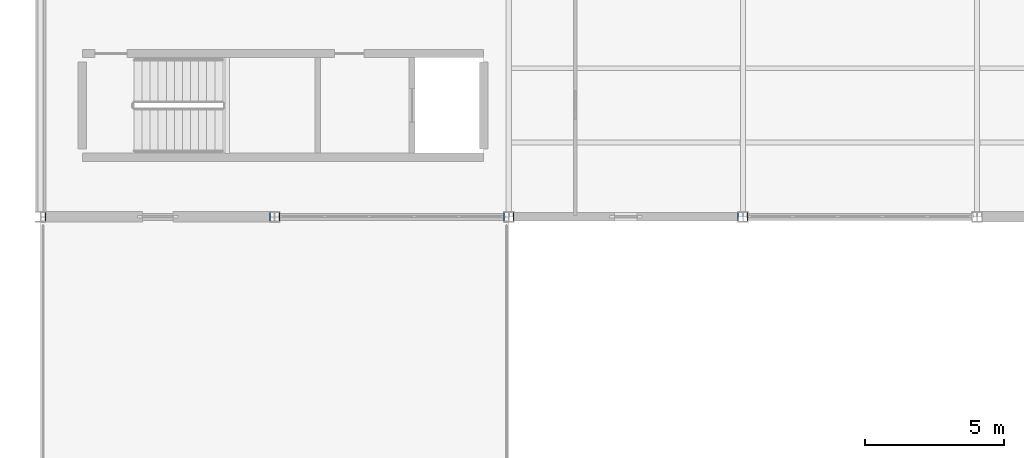
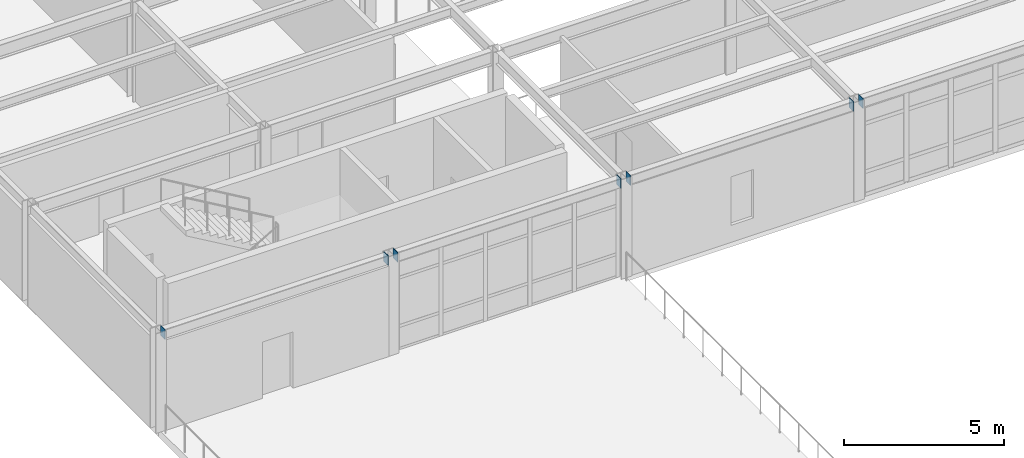
# One storey, part 82 of 138: 7 discrete accessories.
"""IFC4 building model written with IfcOpenShell, lengths in metres."""

import ifcopenshell
import ifcopenshell.guid

model = None  # the IFC model being written
_history = None  # IfcOwnerHistory: only IFC2X3 demands one
_inside = {}  # id of a spatial element -> (the spatial element, [elements in it])
_under = {}  # id of a project, library or spatial element -> (it, [spatial elements below it])
_declared = {}  # id of a project -> (the project, [libraries it declares])
_typed = {}  # id of a type object -> (the type object, [elements of that type])
_made_of = {}  # id of a material, layer set ... -> (it, [elements and type objects made of it])


def new_model(schema):
    """Start an empty IFC model of exactly this schema.

    Asked for "IFC4X3", IfcOpenShell would pick the latest addendum, in which some entities
    have other attributes; the version numbers below select the first issue.
    IFC2X3 requires an IfcOwnerHistory on every rooted entity: one is made here for all.
    """
    global model, _history
    if schema == "IFC4X3":
        model = ifcopenshell.file(schema_version=(4, 3, 0, 0))
    else:
        model = ifcopenshell.file(schema=schema)
    _inside.clear()
    _under.clear()
    _declared.clear()
    _typed.clear()
    _made_of.clear()
    _history = None
    if model.schema == "IFC2X3":
        org = make("IfcOrganization", Name="unknown")
        user = make(
            "IfcPersonAndOrganization",
            ThePerson=make("IfcPerson", FamilyName="unknown"),
            TheOrganization=org,
        )
        app = make(
            "IfcApplication",
            ApplicationDeveloper=org,
            Version="unknown",
            ApplicationFullName="unknown",
            ApplicationIdentifier="unknown",
        )
        _history = make(
            "IfcOwnerHistory",
            OwningUser=user,
            OwningApplication=app,
            ChangeAction="ADDED",
            CreationDate=0,
        )
    return model


def make(cls, **values):
    """One entity of the class cls with the attributes given. An attribute that is None is left unset."""
    return model.create_entity(
        cls, **{name: value for name, value in values.items() if value is not None}
    )


def rooted(cls, **values):
    """An entity with a GlobalId (a new one), such as an element, a storey or a relation."""
    return make(cls, GlobalId=ifcopenshell.guid.new(), OwnerHistory=_history, **values)


def si_unit(unit_type, name, prefix=None):
    """IfcSIUnit, for example si_unit("LENGTHUNIT", "METRE", prefix="MILLI")."""
    return make("IfcSIUnit", UnitType=unit_type, Prefix=prefix, Name=name)


def assignment(units):
    """IfcUnitAssignment: the units of a project."""
    return None if units is None else make("IfcUnitAssignment", Units=units)


def point(xyz):
    """IfcCartesianPoint."""
    return None if xyz is None else make("IfcCartesianPoint", Coordinates=xyz)


def direction(xyz):
    """IfcDirection."""
    return None if xyz is None else make("IfcDirection", DirectionRatios=xyz)


def frame(location, z_axis=None, x_axis=None):
    """IfcAxis2Placement3D, a coordinate frame: its origin and axes. An axis left out is left unset."""
    return make(
        "IfcAxis2Placement3D",
        Location=point(location),
        Axis=direction(z_axis),
        RefDirection=direction(x_axis),
    )


def frame_2d(location, x_axis=None):
    """IfcAxis2Placement2D, a coordinate frame in the plane: its origin and x axis."""
    return make(
        "IfcAxis2Placement2D", Location=point(location), RefDirection=direction(x_axis)
    )


def origin():
    """The frame at (0, 0, 0) with its axes left unset."""
    return frame((0.0, 0.0, 0.0))


def origin_2d():
    """The frame at (0, 0) in the plane with its x axis left unset."""
    return frame_2d((0.0, 0.0))


def place(relative_to, where):
    """IfcLocalPlacement: puts the frame where relative to a parent placement (None: the world)."""
    return make(
        "IfcLocalPlacement", PlacementRelTo=relative_to, RelativePlacement=where
    )


def context(
    kind, dimensions, precision=None, world=None, true_north=None, identifier=None
):
    """IfcGeometricRepresentationContext, for example the 3D "Model" context."""
    return make(
        "IfcGeometricRepresentationContext",
        ContextIdentifier=identifier,
        ContextType=kind,
        CoordinateSpaceDimension=dimensions,
        Precision=precision,
        WorldCoordinateSystem=world,
        TrueNorth=true_north,
    )


def subcontext(parent, identifier, kind, view, scale=None):
    """IfcGeometricRepresentationSubContext, for example "Body" below "Model"."""
    return make(
        "IfcGeometricRepresentationSubContext",
        ContextIdentifier=identifier,
        ContextType=kind,
        ParentContext=parent,
        TargetScale=scale,
        TargetView=view,
    )


def project(units=None, contexts=None):
    """IfcProject with its units and contexts."""
    return rooted(
        "IfcProject",
        Name="project",
        RepresentationContexts=contexts,
        UnitsInContext=assignment(units),
    )


def spatial(cls, under=None, at=None, **own):
    """A site, building, storey or space (cls), placed at a placement, below another one or the project."""
    s = rooted(cls, ObjectPlacement=at, **own)
    if under is not None:
        _under.setdefault(under.id(), (under, []))[1].append(s)
    return s


def profile(cls, at=None, kind="AREA", **sizes):
    """A parametric profile (cls). Its sizes go by their IFC names, for example OverallWidth=200.0."""
    return make(cls, ProfileType=kind, Position=at, **sizes)


def rectangle(**sizes):
    """IfcRectangleProfileDef."""
    return profile("IfcRectangleProfileDef", **sizes)


def extrude(swept, where, along, depth):
    """IfcExtrudedAreaSolid: the profile swept, set in the frame where, extruded along a direction by depth."""
    return make(
        "IfcExtrudedAreaSolid",
        SweptArea=swept,
        Position=where,
        ExtrudedDirection=direction(along),
        Depth=depth,
    )


def shape(context_of_items, identifier, shape_type, items):
    """IfcShapeRepresentation: the items that make up one representation, for example the "Body"."""
    return make(
        "IfcShapeRepresentation",
        ContextOfItems=context_of_items,
        RepresentationIdentifier=identifier,
        RepresentationType=shape_type,
        Items=items,
    )


def material(Name=None, Category=None):
    """IfcMaterial."""
    return make("IfcMaterial", Name=Name, Category=Category)


def layer(
    of_material, thickness, ventilated=None, Name=None, Category=None, Priority=None
):
    """IfcMaterialLayer: one layer of a wall or slab, of a material (None: an air gap)."""
    return make(
        "IfcMaterialLayer",
        Material=of_material,
        LayerThickness=thickness,
        IsVentilated=ventilated,
        Name=Name,
        Category=Category,
        Priority=Priority,
    )


def layer_set(layers, Name=None):
    """IfcMaterialLayerSet."""
    return make("IfcMaterialLayerSet", MaterialLayers=layers, LayerSetName=Name)


def made_of(thing, what):
    """Note that an element or type object is made of a material, layer set ...; save() writes the relation."""
    if what is not None:
        _made_of.setdefault(what.id(), (what, []))[1].append(thing)
    return thing


def type_object(cls, material=None, **own):
    """A type object (cls), such as IfcWallType, which elements share."""
    return made_of(rooted(cls, **own), material)


def element(
    cls,
    number,
    at=None,
    inside=None,
    cuts=None,
    type_object=None,
    material=None,
    context=None,
    identifier="Body",
    shape_type=None,
    held_by="IfcProductDefinitionShape",
    body=None,
    shapes=None,
    **own,
):
    """One element of the class cls, such as IfcWall. Its Tag is "e" and its number.

    at: its placement. inside: the storey or other place that contains it. cuts: it is an
    opening in that element (IfcRelVoidsElement). A single representation is given by context,
    identifier, shape_type and body (its items); several are given by shapes. held_by: the class
    of the entity that holds the representations. save() writes the other relations.
    """
    e = rooted(cls, Tag="e%d" % number, ObjectPlacement=at, **own)
    if body is not None:
        shapes = [shape(context, identifier, shape_type, body)]
    if shapes is not None:
        e.Representation = make(held_by, Representations=shapes)
    if inside is not None:
        _inside.setdefault(inside.id(), (inside, []))[1].append(e)
    if cuts is not None:
        rooted(
            "IfcRelVoidsElement", RelatingBuildingElement=cuts, RelatedOpeningElement=e
        )
    if type_object is not None:
        _typed.setdefault(type_object.id(), (type_object, []))[1].append(e)
    return made_of(e, material)


def aggregate(whole, parts):
    """IfcRelAggregates: a whole, such as a stair, and the parts it consists of."""
    return rooted("IfcRelAggregates", RelatingObject=whole, RelatedObjects=parts)


def save(model, path):
    """Write the relations noted so far, then the file.

    IfcRelAggregates (storeys below a building ...), IfcRelContainedInSpatialStructure (elements
    in a storey), IfcRelDefinesByType, IfcRelAssociatesMaterial and IfcRelDeclares: one each for
    every whole, place, type object, material and project.
    """
    for whole, parts in _under.values():
        aggregate(whole, parts)
    for where, things in _inside.values():
        rooted(
            "IfcRelContainedInSpatialStructure",
            RelatedElements=things,
            RelatingStructure=where,
        )
    for kind, things in _typed.values():
        rooted("IfcRelDefinesByType", RelatedObjects=things, RelatingType=kind)
    for what, things in _made_of.values():
        rooted("IfcRelAssociatesMaterial", RelatedObjects=things, RelatingMaterial=what)
    for by, libraries in _declared.values():
        rooted("IfcRelDeclares", RelatingContext=by, RelatedDefinitions=libraries)
    model.write(path)


model = new_model("IFC4")

# Units and contexts
model_context = context("Model", 3, precision=1e-05, world=origin(), true_north=direction((0.0, 1.0)))
body_context = subcontext(model_context, "Body", "Model", "MODEL_VIEW")
ifc_project = project(units=[si_unit("LENGTHUNIT", "METRE"), si_unit("AREAUNIT", "SQUARE_METRE"), si_unit("VOLUMEUNIT", "CUBIC_METRE"), si_unit("PLANEANGLEUNIT", "RADIAN"), si_unit("MASSUNIT", "GRAM", prefix="KILO")], contexts=[model_context])

# Site, building, storey
site_placement = place(None, origin())
site = spatial("IfcSite", under=ifc_project, at=site_placement, CompositionType="ELEMENT")
building_placement = place(site_placement, origin())
building = spatial("IfcBuilding", under=site, at=building_placement, Name="Kranzveld Transit Interchange", CompositionType="ELEMENT")
storey_placement = place(building_placement, frame((0.0, 0.0, 5.43994140625)))
storey = spatial("IfcBuildingStorey", under=building, at=storey_placement, Name="L01", CompositionType="ELEMENT", Elevation=5.43994140625)

# Discrete accessories
ifc_material = material(Name="Steel S355JR", Category="steel")
ifc_layer = layer(ifc_material, 0.02001953125)
ifc_layer_set = layer_set([ifc_layer], Name="Steel S355JR")
discrete_accessory_type = type_object("IfcDiscreteAccessoryType", Name="Hollow Section End Cap Bracket 20 S355JR", PredefinedType="BRACKET", material=ifc_layer_set)
for number, where, z_axis, x_axis, name in (
    (1, (0.181396484375, 16.0, 3.625), (-1.0, 0.0, 0.0), (0.0, -1.0, 0.0), "Hollow Section End Cap SP-RHS350-1"),
    (2, (8.21875, 16.0, 3.625), (1.0, 0.0, 0.0), (0.0, 1.0, 0.0), "Hollow Section End Cap SP-RHS350-2"),
    (3, (8.581298828125, 16.0, 3.625), (-1.0, 0.0, 0.0), (0.0, -1.0, 0.0), "Hollow Section End Cap SP-RHS350-1"),
    (4, (16.61865234375, 16.0, 3.625), (1.0, 0.0, 0.0), (0.0, 1.0, 0.0), "Hollow Section End Cap SP-RHS350-2"),
    (5, (16.981201171875, 16.0, 3.625), (-1.0, 0.0, 0.0), (0.0, -1.0, 0.0), "Hollow Section End Cap SP-RHS350-1"),
    (6, (25.018798828125, 16.0, 3.625), (1.0, 0.0, 0.0), (0.0, 1.0, 0.0), "Hollow Section End Cap SP-RHS350-2"),
    (7, (25.38134765625, 16.0, 3.625), (-1.0, 0.0, 0.0), (0.0, -1.0, 0.0), "Hollow Section End Cap SP-RHS350-1"),
):
    element("IfcDiscreteAccessory", number, at=place(storey_placement, frame(where, z_axis=z_axis, x_axis=x_axis)), inside=storey, type_object=discrete_accessory_type, Name=name, PredefinedType="BRACKET", context=body_context, shape_type="SweptSolid", body=[
        extrude(rectangle(XDim=0.27392578125, YDim=0.3740234375, at=origin_2d()), origin(), (0.0, 0.0, 1.0), 0.02001953125),
    ])

save(model, "model.ifc")
